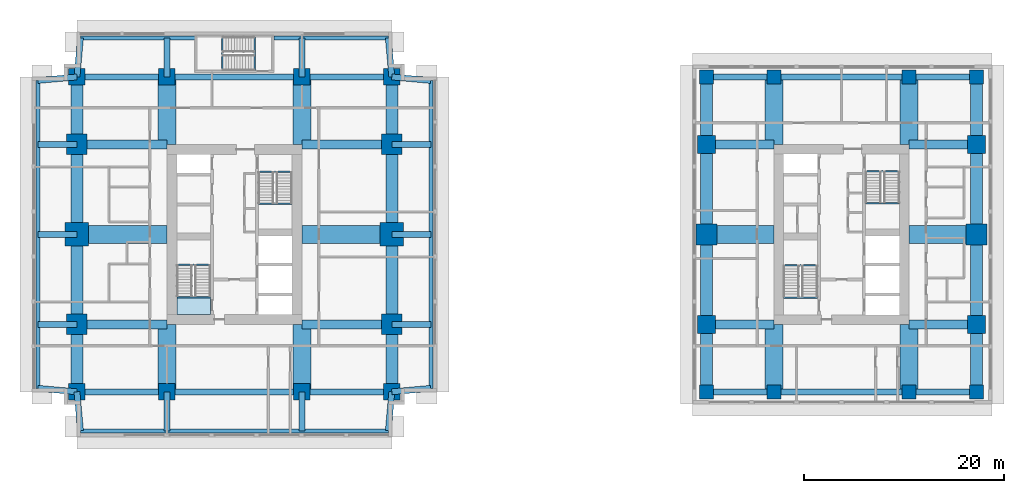
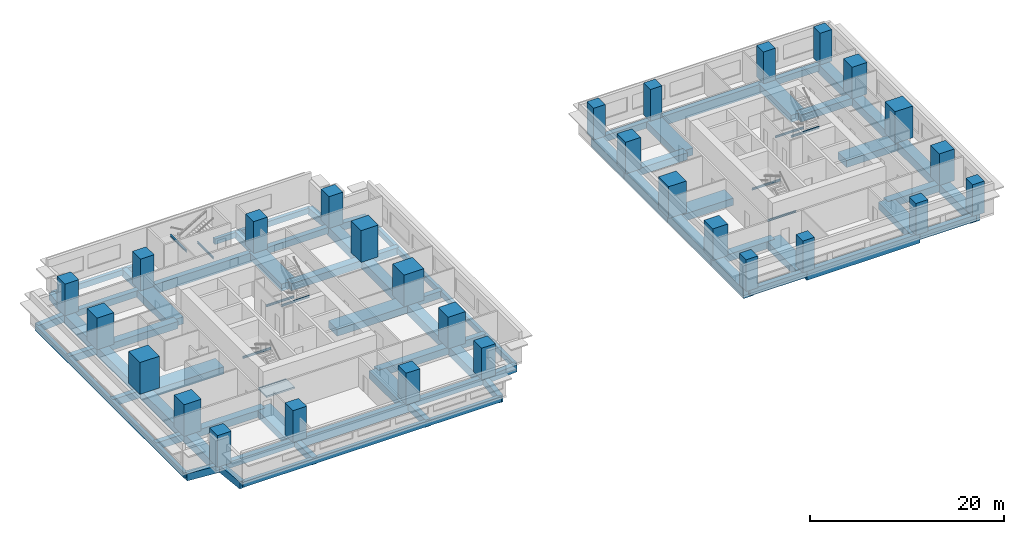
# One storey, part 1 of 11: 81 beams, 28 columns, 1 slab, 1 element without a shape of its own.
"""IFC4 building model written with IfcOpenShell, lengths in metres."""

from ifc_helpers import new_model, si_unit, direction, frame, origin, origin_2d, place, context, subcontext, project, spatial, polyline, rectangle, i_section, outline, extrude, material, layer, layer_set, material_profile, profile_set, type_object, element, aggregate, save


model = new_model("IFC4")

# Units and contexts
model_context = context("Model", 3, precision=1e-05, world=origin(), true_north=direction((0.0, 1.0)))
body_context = subcontext(model_context, "Body", "Model", "MODEL_VIEW")
ifc_project = project(units=[si_unit("LENGTHUNIT", "METRE"), si_unit("AREAUNIT", "SQUARE_METRE"), si_unit("VOLUMEUNIT", "CUBIC_METRE"), si_unit("PLANEANGLEUNIT", "RADIAN"), si_unit("MASSUNIT", "GRAM", prefix="KILO")], contexts=[model_context])

# Site, building, storey
site_placement = place(None, origin())
site = spatial("IfcSite", under=ifc_project, at=site_placement, CompositionType="ELEMENT")
building_placement = place(site_placement, origin())
building = spatial("IfcBuilding", under=site, at=building_placement, Name="Namib Vertical Campus", CompositionType="ELEMENT")
storey_placement = place(building_placement, frame((0.0, 0.0, 201.0)))
storey = spatial("IfcBuildingStorey", under=building, at=storey_placement, Name="L47", CompositionType="ELEMENT", Elevation=201.0)

# Columns
ifc_material_1 = material(Name="Concrete C60/75", Category="concrete")
ifc_material_profile_1 = material_profile(ifc_material_1, rectangle(XDim=1.39990234375, YDim=1.39990234375, at=origin_2d()))
ifc_profile_set_1 = profile_set([ifc_material_profile_1], Name="Concrete C60/75")
column_type_1 = type_object("IfcColumnType", Name="Column RC 1400x1400", PredefinedType="COLUMN", material=ifc_profile_set_1)
for number, where, z_axis, x_axis, name in (
    (1, (67.5, 4.5, 0.0), (0.0, 0.0, 1.0), (1.0, 0.0, 0.0), "Column C140 L47"),
    (2, (74.25, 4.5, 0.0), (0.0, 0.0, 1.0), (1.0, 0.0, 0.0), "Column C140 L47"),
    (3, (87.75, 4.5, 0.0), (0.0, 0.0, 1.0), (1.0, 0.0, 0.0), "Column C140 L47"),
    (4, (94.5, 4.5, 0.0), (0.0, 0.0, 1.0), (1.0, 0.0, 0.0), "Column C140 L47"),
    (5, (67.5, 36.0, 0.0), (0.0, 0.0, 1.0), (1.0, 0.0, 0.0), "Column C140 L47"),
    (6, (74.25, 36.0, 0.0), (0.0, 0.0, 1.0), (1.0, 0.0, 0.0), "Column C140 L47"),
    (7, (87.75, 36.0, 0.0), (0.0, 0.0, 1.0), (1.0, 0.0, 0.0), "Column C140 L47"),
    (8, (94.5, 36.0, 0.0), (0.0, 0.0, 1.0), (1.0, 0.0, 0.0), "Column C140 L47"),
):
    element("IfcColumn", number, at=place(storey_placement, frame(where, z_axis=z_axis, x_axis=x_axis)), inside=storey, type_object=column_type_1, Name=name, PredefinedType="COLUMN", context=body_context, shape_type="SweptSolid", body=[
        extrude(rectangle(XDim=1.39990234375, YDim=1.39990234375, at=origin_2d()), origin(), (0.0, 0.0, 1.0), 4.0),
    ])
ifc_material_2 = material(Name="Concrete C60/75", Category="concrete")
ifc_material_profile_2 = material_profile(ifc_material_2, rectangle(XDim=1.64990234375, YDim=1.64990234375, at=origin_2d()))
ifc_profile_set_2 = profile_set([ifc_material_profile_2], Name="Concrete C60/75")
column_type_2 = type_object("IfcColumnType", Name="Column RC 1650x1650", PredefinedType="COLUMN", material=ifc_profile_set_2)
for number, where, z_axis, x_axis, name in (
    (9, (4.5, 4.5, 0.0), (0.0, 0.0, 1.0), (1.0, 0.0, 0.0), "Column C165 L47"),
    (10, (13.5, 4.5, 0.0), (0.0, 0.0, 1.0), (1.0, 0.0, 0.0), "Column C165 L47"),
    (11, (27.0, 4.5, 0.0), (0.0, 0.0, 1.0), (1.0, 0.0, 0.0), "Column C165 L47"),
    (12, (36.0, 4.5, 0.0), (0.0, 0.0, 1.0), (1.0, 0.0, 0.0), "Column C165 L47"),
    (13, (4.5, 36.0, 0.0), (0.0, 0.0, 1.0), (1.0, 0.0, 0.0), "Column C165 L47"),
    (14, (13.5, 36.0, 0.0), (0.0, 0.0, 1.0), (1.0, 0.0, 0.0), "Column C165 L47"),
    (15, (27.0, 36.0, 0.0), (0.0, 0.0, 1.0), (1.0, 0.0, 0.0), "Column C165 L47"),
    (16, (36.0, 36.0, 0.0), (0.0, 0.0, 1.0), (1.0, 0.0, 0.0), "Column C165 L47"),
):
    element("IfcColumn", number, at=place(storey_placement, frame(where, z_axis=z_axis, x_axis=x_axis)), inside=storey, type_object=column_type_2, Name=name, PredefinedType="COLUMN", context=body_context, shape_type="SweptSolid", body=[
        extrude(rectangle(XDim=1.64990234375, YDim=1.64990234375, at=origin_2d()), origin(), (0.0, 0.0, 1.0), 4.0),
    ])
ifc_material_3 = material(Name="Concrete C60/75", Category="concrete")
ifc_material_profile_3 = material_profile(ifc_material_3, rectangle(XDim=1.800048828125, YDim=1.800048828125, at=origin_2d()))
ifc_profile_set_3 = profile_set([ifc_material_profile_3], Name="Concrete C60/75")
column_type_3 = type_object("IfcColumnType", Name="Column RC 1800x1800", PredefinedType="COLUMN", material=ifc_profile_set_3)
for number, where, z_axis, x_axis, name in (
    (17, (67.5, 11.25, 0.0), (0.0, 0.0, 1.0), (1.0, 0.0, 0.0), "Column C180 L47"),
    (18, (94.5, 11.25, 0.0), (0.0, 0.0, 1.0), (1.0, 0.0, 0.0), "Column C180 L47"),
    (19, (67.5, 29.25, 0.0), (0.0, 0.0, 1.0), (1.0, 0.0, 0.0), "Column C180 L47"),
    (20, (94.5, 29.25, 0.0), (0.0, 0.0, 1.0), (1.0, 0.0, 0.0), "Column C180 L47"),
):
    element("IfcColumn", number, at=place(storey_placement, frame(where, z_axis=z_axis, x_axis=x_axis)), inside=storey, type_object=column_type_3, Name=name, PredefinedType="COLUMN", context=body_context, shape_type="SweptSolid", body=[
        extrude(rectangle(XDim=1.800048828125, YDim=1.800048828125, at=origin_2d()), origin(), (0.0, 0.0, 1.0), 4.0),
    ])
ifc_material_4 = material(Name="Concrete C60/75", Category="concrete")
ifc_material_profile_4 = material_profile(ifc_material_4, rectangle(XDim=2.050048828125, YDim=2.050048828125, at=origin_2d()))
ifc_profile_set_4 = profile_set([ifc_material_profile_4], Name="Concrete C60/75")
column_type_4 = type_object("IfcColumnType", Name="Column RC 2050x2050", PredefinedType="COLUMN", material=ifc_profile_set_4)
for number, where, z_axis, x_axis, name in (
    (21, (4.5, 11.25, 0.0), (0.0, 0.0, 1.0), (1.0, 0.0, 0.0), "Column C205 L47"),
    (22, (36.0, 11.25, 0.0), (0.0, 0.0, 1.0), (1.0, 0.0, 0.0), "Column C205 L47"),
    (23, (4.5, 29.25, 0.0), (0.0, 0.0, 1.0), (1.0, 0.0, 0.0), "Column C205 L47"),
    (24, (36.0, 29.25, 0.0), (0.0, 0.0, 1.0), (1.0, 0.0, 0.0), "Column C205 L47"),
):
    element("IfcColumn", number, at=place(storey_placement, frame(where, z_axis=z_axis, x_axis=x_axis)), inside=storey, type_object=column_type_4, Name=name, PredefinedType="COLUMN", context=body_context, shape_type="SweptSolid", body=[
        extrude(rectangle(XDim=2.050048828125, YDim=2.050048828125, at=origin_2d()), origin(), (0.0, 0.0, 1.0), 4.0),
    ])
ifc_material_5 = material(Name="Concrete C60/75", Category="concrete")
ifc_material_profile_5 = material_profile(ifc_material_5, rectangle(XDim=2.10009765625, YDim=2.10009765625, at=origin_2d()))
ifc_profile_set_5 = profile_set([ifc_material_profile_5], Name="Concrete C60/75")
column_type_5 = type_object("IfcColumnType", Name="Column RC 2100x2100", PredefinedType="COLUMN", material=ifc_profile_set_5)
for number, where, z_axis, x_axis, name in (
    (25, (67.5, 20.25, 0.0), (0.0, 0.0, 1.0), (1.0, 0.0, 0.0), "Column C210 L47"),
    (26, (94.5, 20.25, 0.0), (0.0, 0.0, 1.0), (1.0, 0.0, 0.0), "Column C210 L47"),
):
    element("IfcColumn", number, at=place(storey_placement, frame(where, z_axis=z_axis, x_axis=x_axis)), inside=storey, type_object=column_type_5, Name=name, PredefinedType="COLUMN", context=body_context, shape_type="SweptSolid", body=[
        extrude(rectangle(XDim=2.10009765625, YDim=2.10009765625, at=origin_2d()), origin(), (0.0, 0.0, 1.0), 4.0),
    ])
ifc_material_6 = material(Name="Concrete C60/75", Category="concrete")
ifc_material_profile_6 = material_profile(ifc_material_6, rectangle(XDim=2.35009765625, YDim=2.35009765625, at=origin_2d()))
ifc_profile_set_6 = profile_set([ifc_material_profile_6], Name="Concrete C60/75")
column_type_6 = type_object("IfcColumnType", Name="Column RC 2350x2350", PredefinedType="COLUMN", material=ifc_profile_set_6)
for number, where, z_axis, x_axis, name in (
    (27, (4.5, 20.25, 0.0), (0.0, 0.0, 1.0), (1.0, 0.0, 0.0), "Column C235 L47"),
    (28, (36.0, 20.25, 0.0), (0.0, 0.0, 1.0), (1.0, 0.0, 0.0), "Column C235 L47"),
):
    element("IfcColumn", number, at=place(storey_placement, frame(where, z_axis=z_axis, x_axis=x_axis)), inside=storey, type_object=column_type_6, Name=name, PredefinedType="COLUMN", context=body_context, shape_type="SweptSolid", body=[
        extrude(rectangle(XDim=2.35009765625, YDim=2.35009765625, at=origin_2d()), origin(), (0.0, 0.0, 1.0), 4.0),
    ])

# Beams
ifc_material_7 = material(Name="Concrete C40/50", Category="concrete")
ifc_material_profile_7 = material_profile(ifc_material_7, rectangle(XDim=0.60009765625, YDim=0.89990234375, at=origin_2d()))
ifc_profile_set_7 = profile_set([ifc_material_profile_7], Name="Concrete C40/50")
beam_type_1 = type_object("IfcBeamType", Name="Cantilever girder RC 600x900", PredefinedType="BEAM", material=ifc_profile_set_7)
beam_1_placement = place(storey_placement, frame((4.5, 4.5, -0.699951171875), z_axis=(0.089411326146, -0.995994786511, 0.0), x_axis=(0.995994786511, 0.089411326146, 0.0)))
element("IfcBeam", 29, at=beam_1_placement, inside=storey, type_object=beam_type_1, Name="Beam B3 L47", PredefinedType="BEAM", context=body_context, shape_type="SweptSolid", body=[
    extrude(rectangle(XDim=0.60009765625, YDim=0.89990234375, at=origin_2d()), origin(), (0.0, 0.0, 1.0), 3.91552734375),
])
for number, where, z_axis, x_axis, name in (
    (30, (13.5, 4.5, -0.699951171875), (0.0, -1.0, 0.0), (1.0, 0.0, 0.0), "Beam B3 L47"),
    (31, (27.0, 4.5, -0.699951171875), (0.0, -1.0, 0.0), (1.0, 0.0, 0.0), "Beam B3 L47"),
):
    element("IfcBeam", number, at=place(storey_placement, frame(where, z_axis=z_axis, x_axis=x_axis)), inside=storey, type_object=beam_type_1, Name=name, PredefinedType="BEAM", context=body_context, shape_type="SweptSolid", body=[
        extrude(rectangle(XDim=0.60009765625, YDim=0.89990234375, at=origin_2d()), origin(), (0.0, 0.0, 1.0), 3.89990234375),
    ])
for number, where, z_axis, x_axis, name in (
    (32, (36.0, 4.5, -0.699951171875), (-0.089411326146, -0.995994786511, 0.0), (0.995994786511, -0.089411326146, 0.0), "Beam B3 L47"),
    (33, (4.5, 36.0, -0.699951171875), (0.089411326146, 0.995994786511, 0.0), (-0.995994786511, 0.089411326146, 0.0), "Beam B3 L47"),
):
    element("IfcBeam", number, at=place(storey_placement, frame(where, z_axis=z_axis, x_axis=x_axis)), inside=storey, type_object=beam_type_1, Name=name, PredefinedType="BEAM", context=body_context, shape_type="SweptSolid", body=[
        extrude(rectangle(XDim=0.60009765625, YDim=0.89990234375, at=origin_2d()), origin(), (0.0, 0.0, 1.0), 3.91552734375),
    ])
for number, where, z_axis, x_axis, name in (
    (34, (13.5, 36.0, -0.699951171875), (0.0, 1.0, 0.0), (-1.0, 0.0, 0.0), "Beam B3 L47"),
    (35, (27.0, 36.0, -0.699951171875), (0.0, 1.0, 0.0), (-1.0, 0.0, 0.0), "Beam B3 L47"),
):
    element("IfcBeam", number, at=place(storey_placement, frame(where, z_axis=z_axis, x_axis=x_axis)), inside=storey, type_object=beam_type_1, Name=name, PredefinedType="BEAM", context=body_context, shape_type="SweptSolid", body=[
        extrude(rectangle(XDim=0.60009765625, YDim=0.89990234375, at=origin_2d()), origin(), (0.0, 0.0, 1.0), 3.89990234375),
    ])
for number, where, z_axis, x_axis, name in (
    (36, (36.0, 36.0, -0.699951171875), (-0.089411326146, 0.995994786511, 0.0), (-0.995994786511, -0.089411326146, 0.0), "Beam B3 L47"),
    (37, (4.5, 4.5, -0.699951171875), (-0.995994786511, 0.089411326146, 0.0), (-0.089411326146, -0.995994786511, 0.0), "Beam B3 L47"),
):
    element("IfcBeam", number, at=place(storey_placement, frame(where, z_axis=z_axis, x_axis=x_axis)), inside=storey, type_object=beam_type_1, Name=name, PredefinedType="BEAM", context=body_context, shape_type="SweptSolid", body=[
        extrude(rectangle(XDim=0.60009765625, YDim=0.89990234375, at=origin_2d()), origin(), (0.0, 0.0, 1.0), 3.91552734375),
    ])
for number, where, z_axis, x_axis, name in (
    (38, (4.5, 11.25, -0.699951171875), (-1.0, 0.0, 0.0), (0.0, -1.0, 0.0), "Beam B3 L47"),
    (39, (4.5, 20.25, -0.699951171875), (-1.0, 0.0, 0.0), (0.0, -1.0, 0.0), "Beam B3 L47"),
    (40, (4.5, 29.25, -0.699951171875), (-1.0, 0.0, 0.0), (0.0, -1.0, 0.0), "Beam B3 L47"),
):
    element("IfcBeam", number, at=place(storey_placement, frame(where, z_axis=z_axis, x_axis=x_axis)), inside=storey, type_object=beam_type_1, Name=name, PredefinedType="BEAM", context=body_context, shape_type="SweptSolid", body=[
        extrude(rectangle(XDim=0.60009765625, YDim=0.89990234375, at=origin_2d()), origin(), (0.0, 0.0, 1.0), 3.89990234375),
    ])
for number, where, z_axis, x_axis, name in (
    (41, (4.5, 36.0, -0.699951171875), (-0.995994786511, -0.089411326146, 0.0), (0.089411326146, -0.995994786511, 0.0), "Beam B3 L47"),
    (42, (36.0, 4.5, -0.699951171875), (0.995994786511, 0.089411326146, 0.0), (-0.089411326146, 0.995994786511, 0.0), "Beam B3 L47"),
):
    element("IfcBeam", number, at=place(storey_placement, frame(where, z_axis=z_axis, x_axis=x_axis)), inside=storey, type_object=beam_type_1, Name=name, PredefinedType="BEAM", context=body_context, shape_type="SweptSolid", body=[
        extrude(rectangle(XDim=0.60009765625, YDim=0.89990234375, at=origin_2d()), origin(), (0.0, 0.0, 1.0), 3.91552734375),
    ])
for number, where, z_axis, x_axis, name in (
    (43, (36.0, 11.25, -0.699951171875), (1.0, 0.0, 0.0), (0.0, 1.0, 0.0), "Beam B3 L47"),
    (44, (36.0, 20.25, -0.699951171875), (1.0, 0.0, 0.0), (0.0, 1.0, 0.0), "Beam B3 L47"),
    (45, (36.0, 29.25, -0.699951171875), (1.0, 0.0, 0.0), (0.0, 1.0, 0.0), "Beam B3 L47"),
):
    element("IfcBeam", number, at=place(storey_placement, frame(where, z_axis=z_axis, x_axis=x_axis)), inside=storey, type_object=beam_type_1, Name=name, PredefinedType="BEAM", context=body_context, shape_type="SweptSolid", body=[
        extrude(rectangle(XDim=0.60009765625, YDim=0.89990234375, at=origin_2d()), origin(), (0.0, 0.0, 1.0), 3.89990234375),
    ])
beam_2_placement = place(storey_placement, frame((36.0, 36.0, -0.699951171875), z_axis=(0.995994786511, -0.089411326146, 0.0), x_axis=(0.089411326146, 0.995994786511, 0.0)))
element("IfcBeam", 46, at=beam_2_placement, inside=storey, type_object=beam_type_1, Name="Beam B3 L47", PredefinedType="BEAM", context=body_context, shape_type="SweptSolid", body=[
    extrude(rectangle(XDim=0.60009765625, YDim=0.89990234375, at=origin_2d()), origin(), (0.0, 0.0, 1.0), 3.91552734375),
])
ifc_material_8 = material(Name="Concrete C40/50", Category="concrete")
ifc_material_profile_8 = material_profile(ifc_material_8, rectangle(XDim=0.39990234375, YDim=0.699951171875, at=origin_2d()))
ifc_profile_set_8 = profile_set([ifc_material_profile_8], Name="Concrete C40/50")
beam_type_2 = type_object("IfcBeamType", Name="Edge beam RC 400x700", PredefinedType="SPANDREL", material=ifc_profile_set_8)
beam_3_placement = place(storey_placement, frame((4.85009765625, 0.60009765625, -0.60009765625), z_axis=(1.0, 0.0, 0.0), x_axis=(0.0, 1.0, 0.0)))
element("IfcBeam", 47, at=beam_3_placement, inside=storey, type_object=beam_type_2, Name="Beam B4 L47", PredefinedType="SPANDREL", context=body_context, shape_type="SweptSolid", body=[
    extrude(rectangle(XDim=0.39990234375, YDim=0.699951171875, at=origin_2d()), origin(), (0.0, 0.0, 1.0), 30.7998046875),
])
for number, where, z_axis, x_axis, name in (
    (48, (4.85009765625, 39.89990234375, -0.60009765625), (1.0, 0.0, 0.0), (0.0, 1.0, 0.0), "Beam B4 L47"),
    (49, (24.199951171875, 39.89990234375, -0.60009765625), (1.0, 0.0, 0.0), (0.0, 1.0, 0.0), "Beam B4 L47"),
):
    element("IfcBeam", number, at=place(storey_placement, frame(where, z_axis=z_axis, x_axis=x_axis)), inside=storey, type_object=beam_type_2, Name=name, PredefinedType="SPANDREL", context=body_context, shape_type="SweptSolid", body=[
        extrude(rectangle(XDim=0.39990234375, YDim=0.699951171875, at=origin_2d()), origin(), (0.0, 0.0, 1.0), 11.449951171875),
    ])
for number, where, z_axis, x_axis, name in (
    (50, (0.60009765625, 4.85009765625, -0.60009765625), (0.0, 1.0, 0.0), (-1.0, 0.0, 0.0), "Beam B4 L47"),
    (51, (39.89990234375, 4.85009765625, -0.60009765625), (0.0, 1.0, 0.0), (-1.0, 0.0, 0.0), "Beam B4 L47"),
):
    element("IfcBeam", number, at=place(storey_placement, frame(where, z_axis=z_axis, x_axis=x_axis)), inside=storey, type_object=beam_type_2, Name=name, PredefinedType="SPANDREL", context=body_context, shape_type="SweptSolid", body=[
        extrude(rectangle(XDim=0.39990234375, YDim=0.699951171875, at=origin_2d()), origin(), (0.0, 0.0, 1.0), 30.7998046875),
    ])
ifc_material_9 = material(Name="Concrete C40/50", Category="concrete")
ifc_material_profile_9 = material_profile(ifc_material_9, rectangle(XDim=0.89990234375, YDim=0.89990234375, at=origin_2d()))
ifc_profile_set_9 = profile_set([ifc_material_profile_9], Name="Concrete C40/50")
beam_type_3 = type_object("IfcBeamType", Name="Face girder RC 900x900", PredefinedType="BEAM", material=ifc_profile_set_9)
for number, where, z_axis, x_axis, name in (
    (52, (4.5, 11.25, -0.699951171875), (1.0, 0.0, 0.0), (0.0, 1.0, 0.0), "Beam B10 L47"),
    (53, (36.0, 11.25, -0.699951171875), (-1.0, 0.0, 0.0), (0.0, -1.0, 0.0), "Beam B10 L47"),
    (54, (4.5, 29.25, -0.699951171875), (1.0, 0.0, 0.0), (0.0, 1.0, 0.0), "Beam B10 L47"),
    (55, (36.0, 29.25, -0.699951171875), (-1.0, 0.0, 0.0), (0.0, -1.0, 0.0), "Beam B10 L47"),
):
    element("IfcBeam", number, at=place(storey_placement, frame(where, z_axis=z_axis, x_axis=x_axis)), inside=storey, type_object=beam_type_3, Name=name, PredefinedType="BEAM", context=body_context, shape_type="SweptSolid", body=[
        extrude(rectangle(XDim=0.89990234375, YDim=0.89990234375, at=origin_2d()), origin(), (0.0, 0.0, 1.0), 9.0),
    ])
for number, where, z_axis, x_axis, name in (
    (56, (67.5, 11.25, -0.699951171875), (1.0, 0.0, 0.0), (0.0, 1.0, 0.0), "Beam B10 L47"),
    (57, (94.5, 11.25, -0.699951171875), (-1.0, 0.0, 0.0), (0.0, -1.0, 0.0), "Beam B10 L47"),
    (58, (67.5, 29.25, -0.699951171875), (1.0, 0.0, 0.0), (0.0, 1.0, 0.0), "Beam B10 L47"),
    (59, (94.5, 29.25, -0.699951171875), (-1.0, 0.0, 0.0), (0.0, -1.0, 0.0), "Beam B10 L47"),
):
    element("IfcBeam", number, at=place(storey_placement, frame(where, z_axis=z_axis, x_axis=x_axis)), inside=storey, type_object=beam_type_3, Name=name, PredefinedType="BEAM", context=body_context, shape_type="SweptSolid", body=[
        extrude(rectangle(XDim=0.89990234375, YDim=0.89990234375, at=origin_2d()), origin(), (0.0, 0.0, 1.0), 6.75),
    ])
ifc_material_10 = material(Name="Concrete C40/50", Category="concrete")
ifc_material_profile_10 = material_profile(ifc_material_10, rectangle(XDim=1.199951171875, YDim=1.10009765625, at=origin_2d()))
ifc_profile_set_10 = profile_set([ifc_material_profile_10], Name="Concrete C40/50")
beam_type_4 = type_object("IfcBeamType", Name="Face ring beam RC 1200x1100", PredefinedType="BEAM", material=ifc_profile_set_10)
beam_4_placement = place(storey_placement, frame((4.5, 4.5, -0.800048828125), z_axis=(0.0, 1.0, 0.0), x_axis=(-1.0, 0.0, 0.0)))
element("IfcBeam", 60, at=beam_4_placement, inside=storey, type_object=beam_type_4, Name="Beam B11 L47", PredefinedType="BEAM", context=body_context, shape_type="SweptSolid", body=[
    extrude(rectangle(XDim=1.199951171875, YDim=1.10009765625, at=origin_2d()), origin(), (0.0, 0.0, 1.0), 6.75),
])
for number, where, z_axis, x_axis, name in (
    (61, (4.5, 11.25, -0.800048828125), (0.0, 1.0, 0.0), (-1.0, 0.0, 0.0), "Beam B11 L47"),
    (62, (4.5, 20.25, -0.800048828125), (0.0, 1.0, 0.0), (-1.0, 0.0, 0.0), "Beam B11 L47"),
):
    element("IfcBeam", number, at=place(storey_placement, frame(where, z_axis=z_axis, x_axis=x_axis)), inside=storey, type_object=beam_type_4, Name=name, PredefinedType="BEAM", context=body_context, shape_type="SweptSolid", body=[
        extrude(rectangle(XDim=1.199951171875, YDim=1.10009765625, at=origin_2d()), origin(), (0.0, 0.0, 1.0), 9.0),
    ])
for number, where, z_axis, x_axis, name in (
    (63, (4.5, 29.25, -0.800048828125), (0.0, 1.0, 0.0), (-1.0, 0.0, 0.0), "Beam B11 L47"),
    (64, (36.0, 4.5, -0.800048828125), (0.0, 1.0, 0.0), (-1.0, 0.0, 0.0), "Beam B11 L47"),
):
    element("IfcBeam", number, at=place(storey_placement, frame(where, z_axis=z_axis, x_axis=x_axis)), inside=storey, type_object=beam_type_4, Name=name, PredefinedType="BEAM", context=body_context, shape_type="SweptSolid", body=[
        extrude(rectangle(XDim=1.199951171875, YDim=1.10009765625, at=origin_2d()), origin(), (0.0, 0.0, 1.0), 6.75),
    ])
for number, where, z_axis, x_axis, name in (
    (65, (36.0, 11.25, -0.800048828125), (0.0, 1.0, 0.0), (-1.0, 0.0, 0.0), "Beam B11 L47"),
    (66, (36.0, 20.25, -0.800048828125), (0.0, 1.0, 0.0), (-1.0, 0.0, 0.0), "Beam B11 L47"),
):
    element("IfcBeam", number, at=place(storey_placement, frame(where, z_axis=z_axis, x_axis=x_axis)), inside=storey, type_object=beam_type_4, Name=name, PredefinedType="BEAM", context=body_context, shape_type="SweptSolid", body=[
        extrude(rectangle(XDim=1.199951171875, YDim=1.10009765625, at=origin_2d()), origin(), (0.0, 0.0, 1.0), 9.0),
    ])
for number, where, z_axis, x_axis, name in (
    (67, (36.0, 29.25, -0.800048828125), (0.0, 1.0, 0.0), (-1.0, 0.0, 0.0), "Beam B11 L47"),
    (68, (67.5, 4.5, -0.800048828125), (0.0, 1.0, 0.0), (-1.0, 0.0, 0.0), "Beam B11 L47"),
):
    element("IfcBeam", number, at=place(storey_placement, frame(where, z_axis=z_axis, x_axis=x_axis)), inside=storey, type_object=beam_type_4, Name=name, PredefinedType="BEAM", context=body_context, shape_type="SweptSolid", body=[
        extrude(rectangle(XDim=1.199951171875, YDim=1.10009765625, at=origin_2d()), origin(), (0.0, 0.0, 1.0), 6.75),
    ])
for number, where, z_axis, x_axis, name in (
    (69, (67.5, 11.25, -0.800048828125), (0.0, 1.0, 0.0), (-1.0, 0.0, 0.0), "Beam B11 L47"),
    (70, (67.5, 20.25, -0.800048828125), (0.0, 1.0, 0.0), (-1.0, 0.0, 0.0), "Beam B11 L47"),
):
    element("IfcBeam", number, at=place(storey_placement, frame(where, z_axis=z_axis, x_axis=x_axis)), inside=storey, type_object=beam_type_4, Name=name, PredefinedType="BEAM", context=body_context, shape_type="SweptSolid", body=[
        extrude(rectangle(XDim=1.199951171875, YDim=1.10009765625, at=origin_2d()), origin(), (0.0, 0.0, 1.0), 9.0),
    ])
for number, where, z_axis, x_axis, name in (
    (71, (67.5, 29.25, -0.800048828125), (0.0, 1.0, 0.0), (-1.0, 0.0, 0.0), "Beam B11 L47"),
    (72, (94.5, 4.5, -0.800048828125), (0.0, 1.0, 0.0), (-1.0, 0.0, 0.0), "Beam B11 L47"),
):
    element("IfcBeam", number, at=place(storey_placement, frame(where, z_axis=z_axis, x_axis=x_axis)), inside=storey, type_object=beam_type_4, Name=name, PredefinedType="BEAM", context=body_context, shape_type="SweptSolid", body=[
        extrude(rectangle(XDim=1.199951171875, YDim=1.10009765625, at=origin_2d()), origin(), (0.0, 0.0, 1.0), 6.75),
    ])
for number, where, z_axis, x_axis, name in (
    (73, (94.5, 11.25, -0.800048828125), (0.0, 1.0, 0.0), (-1.0, 0.0, 0.0), "Beam B11 L47"),
    (74, (94.5, 20.25, -0.800048828125), (0.0, 1.0, 0.0), (-1.0, 0.0, 0.0), "Beam B11 L47"),
):
    element("IfcBeam", number, at=place(storey_placement, frame(where, z_axis=z_axis, x_axis=x_axis)), inside=storey, type_object=beam_type_4, Name=name, PredefinedType="BEAM", context=body_context, shape_type="SweptSolid", body=[
        extrude(rectangle(XDim=1.199951171875, YDim=1.10009765625, at=origin_2d()), origin(), (0.0, 0.0, 1.0), 9.0),
    ])
beam_5_placement = place(storey_placement, frame((94.5, 29.25, -0.800048828125), z_axis=(0.0, 1.0, 0.0), x_axis=(-1.0, 0.0, 0.0)))
element("IfcBeam", 75, at=beam_5_placement, inside=storey, type_object=beam_type_4, Name="Beam B11 L47", PredefinedType="BEAM", context=body_context, shape_type="SweptSolid", body=[
    extrude(rectangle(XDim=1.199951171875, YDim=1.10009765625, at=origin_2d()), origin(), (0.0, 0.0, 1.0), 6.75),
])
ifc_material_11 = material(Name="Steel S355JR", Category="steel")
ifc_material_profile_11 = material_profile(ifc_material_11, i_section(OverallWidth=0.14599609375, OverallDepth=0.25146484375, WebThickness=0.006103515625, FlangeThickness=0.008544921875, FilletRadius=0.007568359375, at=origin_2d()))
ifc_profile_set_11 = profile_set([ifc_material_profile_11], Name="Steel S355JR")
beam_type_5 = type_object("IfcBeamType", Name="Landing trimmer UB 254x146x31", PredefinedType="BEAM", material=ifc_profile_set_11)
for number, where, z_axis, x_axis, name in (
    (76, (14.5, 13.97705078125, -0.125732421875), (1.0, 0.0, 0.0), (0.0, 1.0, 0.0), "Landing trimmer LT1 A-S1 L47 1"),
    (77, (14.5, 17.203125, 1.874267578125), (1.0, 0.0, 0.0), (0.0, 1.0, 0.0), "Landing trimmer LT1 A-S1 L47 2"),
    (78, (22.64990234375, 26.52294921875, -0.125732421875), (1.0, 0.0, 0.0), (0.0, 1.0, 0.0), "Landing trimmer LT1 A-S2 L47 1"),
    (79, (22.64990234375, 23.296875, 1.874267578125), (1.0, 0.0, 0.0), (0.0, 1.0, 0.0), "Landing trimmer LT1 A-S2 L47 2"),
):
    element("IfcBeam", number, at=place(storey_placement, frame(where, z_axis=z_axis, x_axis=x_axis)), inside=storey, type_object=beam_type_5, Name=name, PredefinedType="BEAM", context=body_context, shape_type="SweptSolid", body=[
        extrude(i_section(OverallWidth=0.14599609375, OverallDepth=0.25146484375, WebThickness=0.006103515625, FlangeThickness=0.008544921875, FilletRadius=0.007568359375, at=origin_2d()), origin(), (0.0, 0.0, 1.0), 3.35009765625),
    ])
for number, where, z_axis, x_axis, name in (
    (80, (75.199951171875, 13.927001953125, -0.125732421875), (1.0, 0.0, 0.0), (0.0, 1.0, 0.0), "Landing trimmer LT1 B-S1 L47 1"),
    (81, (75.199951171875, 17.153076171875, 1.874267578125), (1.0, 0.0, 0.0), (0.0, 1.0, 0.0), "Landing trimmer LT1 B-S1 L47 2"),
    (82, (83.39990234375, 26.572998046875, -0.125732421875), (1.0, 0.0, 0.0), (0.0, 1.0, 0.0), "Landing trimmer LT1 B-S2 L47 1"),
    (83, (83.39990234375, 23.346923828125, 1.874267578125), (1.0, 0.0, 0.0), (0.0, 1.0, 0.0), "Landing trimmer LT1 B-S2 L47 2"),
):
    element("IfcBeam", number, at=place(storey_placement, frame(where, z_axis=z_axis, x_axis=x_axis)), inside=storey, type_object=beam_type_5, Name=name, PredefinedType="BEAM", context=body_context, shape_type="SweptSolid", body=[
        extrude(i_section(OverallWidth=0.14599609375, OverallDepth=0.25146484375, WebThickness=0.006103515625, FlangeThickness=0.008544921875, FilletRadius=0.007568359375, at=origin_2d()), origin(), (0.0, 0.0, 1.0), 3.400146484375),
    ])
for number, where, z_axis, x_axis, name in (
    (84, (22.27294921875, 36.64990234375, -0.125732421875), (0.0, 1.0, 0.0), (-1.0, 0.0, 0.0), "Landing trimmer LT1 A-S3 L47 1"),
    (85, (19.046875, 36.64990234375, 1.874267578125), (0.0, 1.0, 0.0), (-1.0, 0.0, 0.0), "Landing trimmer LT1 A-S3 L47 2"),
):
    element("IfcBeam", number, at=place(storey_placement, frame(where, z_axis=z_axis, x_axis=x_axis)), inside=storey, type_object=beam_type_5, Name=name, PredefinedType="BEAM", context=body_context, shape_type="SweptSolid", body=[
        extrude(i_section(OverallWidth=0.14599609375, OverallDepth=0.25146484375, WebThickness=0.006103515625, FlangeThickness=0.008544921875, FilletRadius=0.007568359375, at=origin_2d()), origin(), (0.0, 0.0, 1.0), 3.35009765625),
    ])
ifc_material_12 = material(Name="Concrete C40/50", Category="concrete")
ifc_material_profile_12 = material_profile(ifc_material_12, rectangle(XDim=0.60009765625, YDim=1.199951171875, at=origin_2d()))
ifc_profile_set_12 = profile_set([ifc_material_profile_12], Name="Concrete C40/50")
beam_type_6 = type_object("IfcBeamType", Name="Long-span ring beam RC 600x1200", PredefinedType="BEAM", material=ifc_profile_set_12)
for number, where, z_axis, x_axis, name in (
    (86, (13.5, 4.5, -0.85009765625), (1.0, 0.0, 0.0), (0.0, 1.0, 0.0), "Beam B9 L47"),
    (87, (13.5, 36.0, -0.85009765625), (1.0, 0.0, 0.0), (0.0, 1.0, 0.0), "Beam B9 L47"),
    (88, (74.25, 4.5, -0.85009765625), (1.0, 0.0, 0.0), (0.0, 1.0, 0.0), "Beam B9 L47"),
    (89, (74.25, 36.0, -0.85009765625), (1.0, 0.0, 0.0), (0.0, 1.0, 0.0), "Beam B9 L47"),
):
    element("IfcBeam", number, at=place(storey_placement, frame(where, z_axis=z_axis, x_axis=x_axis)), inside=storey, type_object=beam_type_6, Name=name, PredefinedType="BEAM", context=body_context, shape_type="SweptSolid", body=[
        extrude(rectangle(XDim=0.60009765625, YDim=1.199951171875, at=origin_2d()), origin(), (0.0, 0.0, 1.0), 13.5),
    ])
ifc_material_13 = material(Name="Concrete C40/50", Category="concrete")
ifc_material_profile_13 = material_profile(ifc_material_13, rectangle(XDim=1.800048828125, YDim=0.89990234375, at=origin_2d()))
ifc_profile_set_13 = profile_set([ifc_material_profile_13], Name="Concrete C40/50")
beam_type_7 = type_object("IfcBeamType", Name="Outrigger line girder RC 1800x900", PredefinedType="BEAM", material=ifc_profile_set_13)
for number, where, z_axis, x_axis, name in (
    (90, (13.5, 4.5, -0.699951171875), (0.0, 1.0, 0.0), (-1.0, 0.0, 0.0), "Beam B12 L47"),
    (91, (13.5, 36.0, -0.699951171875), (0.0, -1.0, 0.0), (1.0, 0.0, 0.0), "Beam B12 L47"),
    (92, (27.0, 4.5, -0.699951171875), (0.0, 1.0, 0.0), (-1.0, 0.0, 0.0), "Beam B12 L47"),
    (93, (27.0, 36.0, -0.699951171875), (0.0, -1.0, 0.0), (1.0, 0.0, 0.0), "Beam B12 L47"),
):
    element("IfcBeam", number, at=place(storey_placement, frame(where, z_axis=z_axis, x_axis=x_axis)), inside=storey, type_object=beam_type_7, Name=name, PredefinedType="BEAM", context=body_context, shape_type="SweptSolid", body=[
        extrude(rectangle(XDim=1.800048828125, YDim=0.89990234375, at=origin_2d()), origin(), (0.0, 0.0, 1.0), 6.75),
    ])
for number, where, z_axis, x_axis, name in (
    (94, (4.5, 20.25, -0.699951171875), (1.0, 0.0, 0.0), (0.0, 1.0, 0.0), "Beam B12 L47"),
    (95, (36.0, 20.25, -0.699951171875), (-1.0, 0.0, 0.0), (0.0, -1.0, 0.0), "Beam B12 L47"),
):
    element("IfcBeam", number, at=place(storey_placement, frame(where, z_axis=z_axis, x_axis=x_axis)), inside=storey, type_object=beam_type_7, Name=name, PredefinedType="BEAM", context=body_context, shape_type="SweptSolid", body=[
        extrude(rectangle(XDim=1.800048828125, YDim=0.89990234375, at=origin_2d()), origin(), (0.0, 0.0, 1.0), 9.0),
    ])
for number, where, z_axis, x_axis, name in (
    (96, (74.25, 4.5, -0.699951171875), (0.0, 1.0, 0.0), (-1.0, 0.0, 0.0), "Beam B12 L47"),
    (97, (74.25, 36.0, -0.699951171875), (0.0, -1.0, 0.0), (1.0, 0.0, 0.0), "Beam B12 L47"),
    (98, (87.75, 4.5, -0.699951171875), (0.0, 1.0, 0.0), (-1.0, 0.0, 0.0), "Beam B12 L47"),
    (99, (87.75, 36.0, -0.699951171875), (0.0, -1.0, 0.0), (1.0, 0.0, 0.0), "Beam B12 L47"),
    (100, (67.5, 20.25, -0.699951171875), (1.0, 0.0, 0.0), (0.0, 1.0, 0.0), "Beam B12 L47"),
    (101, (94.5, 20.25, -0.699951171875), (-1.0, 0.0, 0.0), (0.0, -1.0, 0.0), "Beam B12 L47"),
):
    element("IfcBeam", number, at=place(storey_placement, frame(where, z_axis=z_axis, x_axis=x_axis)), inside=storey, type_object=beam_type_7, Name=name, PredefinedType="BEAM", context=body_context, shape_type="SweptSolid", body=[
        extrude(rectangle(XDim=1.800048828125, YDim=0.89990234375, at=origin_2d()), origin(), (0.0, 0.0, 1.0), 6.75),
    ])
ifc_material_14 = material(Name="Concrete C40/50", Category="concrete")
ifc_material_profile_14 = material_profile(ifc_material_14, rectangle(XDim=0.60009765625, YDim=0.800048828125, at=origin_2d()))
ifc_profile_set_14 = profile_set([ifc_material_profile_14], Name="Concrete C40/50")
beam_type_8 = type_object("IfcBeamType", Name="Ring beam RC 600x800", PredefinedType="BEAM", material=ifc_profile_set_14)
for number, where, z_axis, x_axis, name in (
    (102, (4.5, 4.5, -0.64990234375), (1.0, 0.0, 0.0), (0.0, 1.0, 0.0), "Beam B1 L47"),
    (103, (27.0, 4.5, -0.64990234375), (1.0, 0.0, 0.0), (0.0, 1.0, 0.0), "Beam B1 L47"),
    (104, (4.5, 36.0, -0.64990234375), (1.0, 0.0, 0.0), (0.0, 1.0, 0.0), "Beam B1 L47"),
    (105, (27.0, 36.0, -0.64990234375), (1.0, 0.0, 0.0), (0.0, 1.0, 0.0), "Beam B1 L47"),
):
    element("IfcBeam", number, at=place(storey_placement, frame(where, z_axis=z_axis, x_axis=x_axis)), inside=storey, type_object=beam_type_8, Name=name, PredefinedType="BEAM", context=body_context, shape_type="SweptSolid", body=[
        extrude(rectangle(XDim=0.60009765625, YDim=0.800048828125, at=origin_2d()), origin(), (0.0, 0.0, 1.0), 9.0),
    ])
for number, where, z_axis, x_axis, name in (
    (106, (67.5, 4.5, -0.64990234375), (1.0, 0.0, 0.0), (0.0, 1.0, 0.0), "Beam B1 L47"),
    (107, (87.75, 4.5, -0.64990234375), (1.0, 0.0, 0.0), (0.0, 1.0, 0.0), "Beam B1 L47"),
    (108, (67.5, 36.0, -0.64990234375), (1.0, 0.0, 0.0), (0.0, 1.0, 0.0), "Beam B1 L47"),
    (109, (87.75, 36.0, -0.64990234375), (1.0, 0.0, 0.0), (0.0, 1.0, 0.0), "Beam B1 L47"),
):
    element("IfcBeam", number, at=place(storey_placement, frame(where, z_axis=z_axis, x_axis=x_axis)), inside=storey, type_object=beam_type_8, Name=name, PredefinedType="BEAM", context=body_context, shape_type="SweptSolid", body=[
        extrude(rectangle(XDim=0.60009765625, YDim=0.800048828125, at=origin_2d()), origin(), (0.0, 0.0, 1.0), 6.75),
    ])

# Stair, slab
ifc_material_15 = material(Name="Concrete C40/50 precast", Category="concrete")
stair_type = type_object("IfcStairType", Name="Exit stair 4000 rise 24 risers 3350 wide", PredefinedType="HALF_TURN_STAIR", material=ifc_material_15)
stair_placement = place(storey_placement, origin())
stair = element("IfcStair", 110, at=stair_placement, inside=storey, type_object=stair_type, Name="Exit stair A-S1 L47", PredefinedType="HALF_TURN_STAIR")
ifc_material_16 = material(Name="Concrete C40/50", Category="concrete")
ifc_layer = layer(ifc_material_16, 0.199951171875)
ifc_layer_set = layer_set([ifc_layer], Name="Concrete C40/50")
slab_type = type_object("IfcSlabType", Name="Stair landing 200", PredefinedType="LANDING", material=ifc_layer_set)
slab_placement = place(storey_placement, frame((0.0, 0.0, -0.199951171875)))
slab = element("IfcSlab", 111, at=slab_placement, type_object=slab_type, Name="A-S1 landing 1", PredefinedType="LANDING", context=body_context, shape_type="SweptSolid", body=[
    extrude(outline(polyline([(14.5, 12.25), (17.85009765625, 12.25), (17.85009765625, 13.90380859375), (14.5, 13.90380859375), (14.5, 12.25)])), origin(), (0.0, 0.0, 1.0), 0.199951171875),
])
aggregate(stair, [slab])

save(model, "model.ifc")
